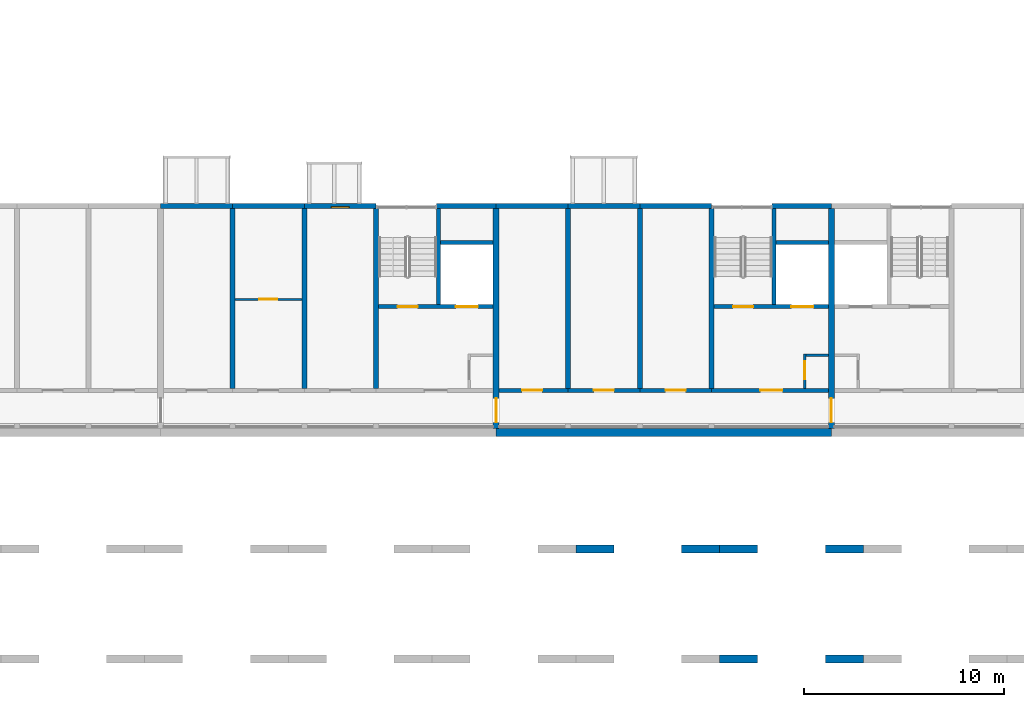
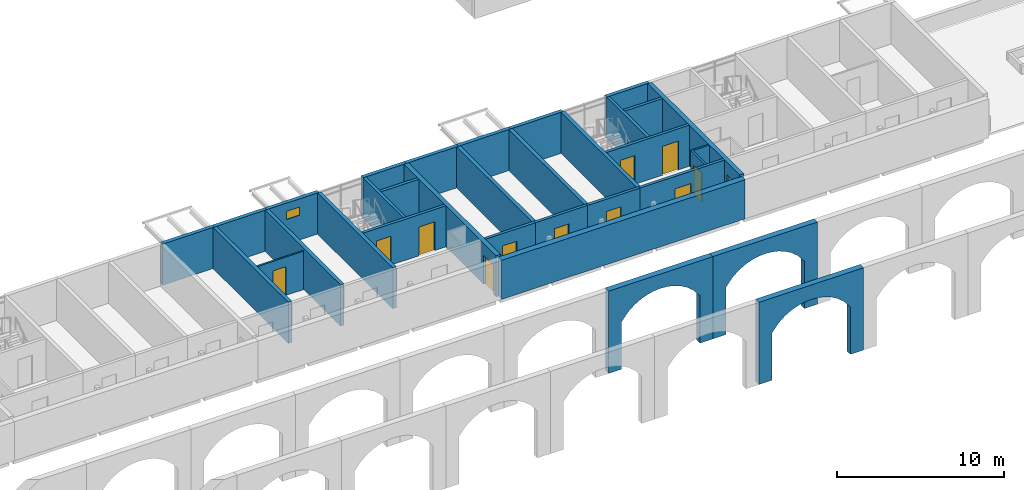
# One storey, part 56 of 122: 33 walls, 12 doors, 1 window, 13 openings.
"""IFC4 building model written with IfcOpenShell, lengths in metres."""

from ifc_helpers import new_model, si_unit, direction, frame, frame_2d, origin, place, context, subcontext, project, spatial, polyline, rectangle, outline, extrude, material, layer, layer_set, type_object, element, fill, save


model = new_model("IFC4")

# Units and contexts
model_context = context("Model", 3, precision=1e-05, world=origin(), true_north=direction((0.0, 1.0)))
body_context = subcontext(model_context, "Body", "Model", "MODEL_VIEW")
ifc_project = project(units=[si_unit("LENGTHUNIT", "METRE"), si_unit("AREAUNIT", "SQUARE_METRE"), si_unit("VOLUMEUNIT", "CUBIC_METRE"), si_unit("PLANEANGLEUNIT", "RADIAN"), si_unit("MASSUNIT", "GRAM", prefix="KILO")], contexts=[model_context])

# Site, building, storey
site_placement = place(None, origin())
site = spatial("IfcSite", under=ifc_project, at=site_placement, CompositionType="ELEMENT")
building_placement = place(site_placement, origin())
building = spatial("IfcBuilding", under=site, at=building_placement, Name="Ridgestep Commons", CompositionType="ELEMENT")
storey_placement = place(building_placement, frame((0.0, 0.0, 3.0)))
storey = spatial("IfcBuildingStorey", under=building, at=storey_placement, Name="L01", CompositionType="ELEMENT", Elevation=3.0)

# Walls
ifc_material_1 = material(Name="Precast concrete C40/50", Category="concrete")
ifc_layer_1 = layer(ifc_material_1, 0.39990234375)
ifc_layer_set_1 = layer_set([ifc_layer_1], Name="Community south arcade inner wall 400")
wall_type_1 = type_object("IfcWallType", Name="Community south arcade inner wall 400", PredefinedType="SOLIDWALL", material=ifc_layer_set_1)
wall_1_placement = place(storey_placement, frame((83.199951171875, 5.5, -3.25), z_axis=(0.0, -1.0, 0.0), x_axis=(1.0, 0.0, 0.0)))
element("IfcWall", 1, at=wall_1_placement, inside=storey, type_object=wall_type_1, Name="South arcade inner wall", PredefinedType="SOLIDWALL", context=body_context, shape_type="SweptSolid", body=[
    extrude(outline(polyline([(0.0, 0.0), (0.900146484375, 0.0), (0.900146484375, 3.449951171875), (1.35009765625, 4.01708984375), (1.800048828125, 4.3916015625), (2.25, 4.649169921875), (2.699951171875, 4.820068359375), (3.150146484375, 4.91796875), (3.60009765625, 4.949951171875), (4.050048828125, 4.91796875), (4.5, 4.820068359375), (4.949951171875, 4.649169921875), (5.400146484375, 4.3916015625), (5.85009765625, 4.01708984375), (6.300048828125, 3.449951171875), (6.300048828125, 0.0), (7.199951171875, 0.0), (7.199951171875, 6.0), (0.0, 6.0), (0.0, 0.0)])), origin(), (0.0, 0.0, -1.0), 0.39990234375),
])
wall_2_placement = place(storey_placement, frame((90.39990234375, 5.5, -3.25), z_axis=(0.0, -1.0, 0.0), x_axis=(1.0, 0.0, 0.0)))
element("IfcWall", 2, at=wall_2_placement, inside=storey, type_object=wall_type_1, Name="South arcade inner wall", PredefinedType="SOLIDWALL", context=body_context, shape_type="SweptSolid", body=[
    extrude(outline(polyline([(0.0, 0.0), (0.900146484375, 0.0), (0.900146484375, 3.449951171875), (1.35009765625, 4.01708984375), (1.800048828125, 4.3916015625), (2.25, 4.649169921875), (2.7001953125, 4.820068359375), (3.150146484375, 4.91796875), (3.60009765625, 4.949951171875), (4.050048828125, 4.91796875), (4.5, 4.820068359375), (4.9501953125, 4.649169921875), (5.400146484375, 4.3916015625), (5.85009765625, 4.01708984375), (6.300048828125, 3.449951171875), (6.300048828125, 0.0), (7.2001953125, 0.0), (7.2001953125, 6.0), (0.0, 6.0), (0.0, 0.0)])), origin(), (0.0, 0.0, -1.0), 0.39990234375),
])
ifc_material_2 = material(Name="Precast concrete C40/50", Category="concrete")
ifc_layer_2 = layer(ifc_material_2, 0.39990234375)
ifc_layer_set_2 = layer_set([ifc_layer_2], Name="Community south arcade wall 400")
wall_type_2 = type_object("IfcWallType", Name="Community south arcade wall 400", PredefinedType="SOLIDWALL", material=ifc_layer_set_2)
wall_3_placement = place(storey_placement, frame((90.39990234375, 0.001953125, -3.25), z_axis=(0.0, -1.0, 0.0), x_axis=(1.0, 0.0, 0.0)))
element("IfcWall", 3, at=wall_3_placement, inside=storey, type_object=wall_type_2, Name="South arcade wall", PredefinedType="SOLIDWALL", context=body_context, shape_type="SweptSolid", body=[
    extrude(outline(polyline([(0.0, 0.0), (0.900146484375, 0.0), (0.900146484375, 3.449951171875), (1.35009765625, 4.01708984375), (1.800048828125, 4.3916015625), (2.25, 4.649169921875), (2.7001953125, 4.820068359375), (3.150146484375, 4.91796875), (3.60009765625, 4.949951171875), (4.050048828125, 4.91796875), (4.5, 4.820068359375), (4.9501953125, 4.649169921875), (5.400146484375, 4.3916015625), (5.85009765625, 4.01708984375), (6.300048828125, 3.449951171875), (6.300048828125, 0.0), (7.2001953125, 0.0), (7.2001953125, 6.0), (0.0, 6.0), (0.0, 0.0)])), origin(), (0.0, 0.0, -1.0), 0.39990234375),
])
ifc_material_3 = material(Name="Concrete C30/37", Category="concrete")
ifc_layer_3 = layer(ifc_material_3, 0.25)
ifc_layer_set_3 = layer_set([ifc_layer_3], Name="Core cross wall 250")
wall_type_3 = type_object("IfcWallType", Name="Core cross wall 250", PredefinedType="SHEAR", material=ifc_layer_set_3)
for number, where, z_axis, x_axis, name in (
    (4, (73.199951171875, 13.75, 0.0), (0.0, 0.0, 1.0), (0.0, 1.0, 0.0), "Cross wall A-01-0732"),
    (5, (90.0, 13.75, 0.0), (0.0, 0.0, 1.0), (0.0, 1.0, 0.0), "Cross wall A-01-0900"),
):
    element("IfcWall", number, at=place(storey_placement, frame(where, z_axis=z_axis, x_axis=x_axis)), inside=storey, type_object=wall_type_3, Name=name, PredefinedType="SHEAR", context=body_context, shape_type="SweptSolid", body=[
        extrude(rectangle(XDim=9.0, YDim=0.25, at=frame_2d((4.5, 0.0))), origin(), (0.0, 0.0, 1.0), 3.0),
    ])

# Wall, opening, door
ifc_material_4 = material(Name="Concrete C30/37", Category="concrete")
ifc_layer_4 = layer(ifc_material_4, 0.199951171875)
ifc_layer_set_4 = layer_set([ifc_layer_4], Name="Core south wall 200")
wall_type_4 = type_object("IfcWallType", Name="Core south wall 200", PredefinedType="SHEAR", material=ifc_layer_set_4)
wall_4_placement = place(storey_placement, frame((90.0, 13.64990234375, 0.0), z_axis=(0.0, 0.0, 1.0), x_axis=(1.0, 0.0, 0.0)))
wall_4 = element("IfcWall", 6, at=wall_4_placement, inside=storey, type_object=wall_type_4, Name="Core south wall A5C L01", PredefinedType="SHEAR", context=body_context, shape_type="SweptSolid", body=[
    extrude(rectangle(XDim=5.85009765625, YDim=0.199951171875, at=frame_2d((2.925048828125, 0.0))), origin(), (0.0, 0.0, 1.0), 3.0),
])
opening_1_placement = place(wall_4_placement, frame((2.4375, 0.0, 0.0)))
opening_1 = element("IfcOpeningElement", 7, at=opening_1_placement, cuts=wall_4, Name="Opening A5C/01/1", PredefinedType="OPENING", context=body_context, shape_type="SweptSolid", body=[
    extrude(rectangle(XDim=1.10009765625, YDim=2.10009765625, at=frame_2d((0.550048828125, 1.050048828125))), frame((0.0, 0.10986328125, 0.0), z_axis=(0.0, -1.0, 0.0), x_axis=(1.0, 0.0, 0.0)), (0.0, 0.0, 1.0), 0.219970703125),
])
ifc_material_5 = material(Name="Steel fire door", Category="steel")
door_type_1 = type_object("IfcDoorType", Name="Lobby door 1100 x 2100 FD60", OperationType="NOTDEFINED", PredefinedType="DOOR", material=ifc_material_5)
door_1_placement = place(opening_1_placement, origin())
door_1 = element("IfcDoor", 8, at=door_1_placement, inside=storey, type_object=door_type_1, Name="Lobby door A5C/01/1", OperationType="SINGLE_SWING_LEFT", OverallHeight=2.10009765625, OverallWidth=1.10009765625, PredefinedType="DOOR", context=body_context, shape_type="SweptSolid", body=[
    extrude(rectangle(XDim=1.10009765625, YDim=2.10009765625, at=frame_2d((0.550048828125, 1.050048828125))), frame((0.0, 0.02490234375, 0.0), z_axis=(0.0, -1.0, 0.0), x_axis=(1.0, 0.0, 0.0)), (0.0, 0.0, 1.0), 0.050048828125),
])
fill(opening_1, door_1)

ifc_material_6 = material(Name="Concrete C30/37", Category="concrete")
ifc_layer_5 = layer(ifc_material_6, 0.1201171875)
ifc_layer_set_5 = layer_set([ifc_layer_5], Name="Core wall 120")
wall_type_5 = type_object("IfcWallType", Name="Core wall 120", PredefinedType="SHEAR", material=ifc_layer_set_5)
wall_5_placement = place(storey_placement, frame((94.659912109375, 13.75, 0.0), z_axis=(0.0, 0.0, 1.0), x_axis=(0.0, 1.0, 0.0)))
wall_5 = element("IfcWall", 9, at=wall_5_placement, inside=storey, type_object=wall_type_5, Name="Core riser w wall A5C L01", PredefinedType="SHEAR", context=body_context, shape_type="SweptSolid", body=[
    extrude(rectangle(XDim=1.719970703125, YDim=0.1201171875, at=frame_2d((0.85986328125, 0.0))), origin(), (0.0, 0.0, 1.0), 3.0),
])
opening_2_placement = place(wall_5_placement, frame((0.449951171875, 0.0, 0.0)))
opening_2 = element("IfcOpeningElement", 10, at=opening_2_placement, cuts=wall_5, Name="Opening A5C/01/4", PredefinedType="OPENING", context=body_context, shape_type="SweptSolid", body=[
    extrude(rectangle(XDim=0.89990234375, YDim=2.10009765625, at=frame_2d((0.449951171875, 1.050048828125))), frame((0.0, 0.070068359375, 0.0), z_axis=(0.0, -1.0, 0.0), x_axis=(1.0, 0.0, 0.0)), (0.0, 0.0, 1.0), 0.14013671875),
])
ifc_material_7 = material(Name="Steel fire door", Category="steel")
door_type_2 = type_object("IfcDoorType", Name="Riser door 900 x 2100 FD60", OperationType="NOTDEFINED", PredefinedType="DOOR", material=ifc_material_7)
door_2_placement = place(opening_2_placement, origin())
door_2 = element("IfcDoor", 11, at=door_2_placement, inside=storey, type_object=door_type_2, Name="Riser door A5C/01/4", OperationType="SINGLE_SWING_LEFT", OverallHeight=2.10009765625, OverallWidth=0.89990234375, PredefinedType="DOOR", context=body_context, shape_type="SweptSolid", body=[
    extrude(rectangle(XDim=0.89990234375, YDim=2.10009765625, at=frame_2d((0.449951171875, 1.050048828125))), frame((0.0, 0.02490234375, 0.0), z_axis=(0.0, -1.0, 0.0), x_axis=(1.0, 0.0, 0.0)), (0.0, 0.0, 1.0), 0.050048828125),
])
fill(opening_2, door_2)

# Wall
wall_6_placement = place(storey_placement, frame((94.719970703125, 15.409912109375, 0.0), z_axis=(0.0, 0.0, 1.0), x_axis=(1.0, 0.0, 0.0)))
element("IfcWall", 12, at=wall_6_placement, inside=storey, type_object=wall_type_5, Name="Core riser n wall A5C L01", PredefinedType="SHEAR", context=body_context, shape_type="SweptSolid", body=[
    extrude(rectangle(XDim=1.130126953125, YDim=0.1201171875, at=frame_2d((0.56494140625, 0.0))), origin(), (0.0, 0.0, 1.0), 3.0),
])

# Wall, openings, doors
ifc_material_8 = material(Name="Concrete C30/37", Category="concrete")
ifc_layer_6 = layer(ifc_material_8, 0.199951171875)
ifc_layer_set_6 = layer_set([ifc_layer_6], Name="Core wall 200")
wall_type_6 = type_object("IfcWallType", Name="Core wall 200", PredefinedType="SHEAR", material=ifc_layer_set_6)
wall_7_placement = place(storey_placement, frame((73.324951171875, 17.85009765625, 0.0), z_axis=(0.0, 0.0, 1.0), x_axis=(1.0, 0.0, 0.0)))
wall_7 = element("IfcWall", 13, at=wall_7_placement, inside=storey, type_object=wall_type_6, Name="Core lobby wall A4C L01", PredefinedType="SHEAR", context=body_context, shape_type="SweptSolid", body=[
    extrude(rectangle(XDim=5.72509765625, YDim=0.199951171875, at=frame_2d((2.862548828125, 0.0))), origin(), (0.0, 0.0, 1.0), 3.0),
])
opening_3_placement = place(wall_7_placement, frame((0.949951171875, 0.0, 0.0)))
opening_3 = element("IfcOpeningElement", 14, at=opening_3_placement, cuts=wall_7, Name="Opening A4C/01/2", PredefinedType="OPENING", context=body_context, shape_type="SweptSolid", body=[
    extrude(rectangle(XDim=1.0, YDim=2.10009765625, at=frame_2d((0.5, 1.050048828125))), frame((0.0, 0.10986328125, 0.0), z_axis=(0.0, -1.0, 0.0), x_axis=(1.0, 0.0, 0.0)), (0.0, 0.0, 1.0), 0.219970703125),
])
opening_4_placement = place(wall_7_placement, frame((3.862548828125, 0.0, 0.0)))
opening_4 = element("IfcOpeningElement", 15, at=opening_4_placement, cuts=wall_7, Name="Opening A4C/01/3", PredefinedType="OPENING", context=body_context, shape_type="SweptSolid", body=[
    extrude(rectangle(XDim=1.10009765625, YDim=2.10009765625, at=frame_2d((0.550048828125, 1.050048828125))), frame((0.0, 0.10986328125, 0.0), z_axis=(0.0, -1.0, 0.0), x_axis=(1.0, 0.0, 0.0)), (0.0, 0.0, 1.0), 0.219970703125),
])
ifc_material_9 = material(Name="Stainless steel", Category="steel")
door_type_3 = type_object("IfcDoorType", Name="Lift landing door 1100 x 2100 FD60", OperationType="DOUBLE_DOOR_SLIDING", PredefinedType="DOOR", material=ifc_material_9)
door_3_placement = place(opening_4_placement, origin())
door_3 = element("IfcDoor", 16, at=door_3_placement, inside=storey, type_object=door_type_3, Name="Landing door LD A4C L01", OperationType="DOUBLE_DOOR_SLIDING", OverallHeight=2.10009765625, OverallWidth=1.10009765625, PredefinedType="DOOR", context=body_context, shape_type="SweptSolid", body=[
    extrude(rectangle(XDim=1.10009765625, YDim=2.10009765625, at=frame_2d((0.550048828125, 1.050048828125))), frame((0.0, 0.02490234375, 0.0), z_axis=(0.0, -1.0, 0.0), x_axis=(1.0, 0.0, 0.0)), (0.0, 0.0, 1.0), 0.050048828125),
])
fill(opening_4, door_3)
ifc_material_10 = material(Name="Steel fire door", Category="steel")
door_type_4 = type_object("IfcDoorType", Name="Stair door 1000 x 2100 FD60", OperationType="NOTDEFINED", PredefinedType="DOOR", material=ifc_material_10)
door_4_placement = place(opening_3_placement, origin())
door_4 = element("IfcDoor", 17, at=door_4_placement, inside=storey, type_object=door_type_4, Name="Stair door A4C/01/2", OperationType="SINGLE_SWING_RIGHT", OverallHeight=2.10009765625, OverallWidth=1.0, PredefinedType="DOOR", context=body_context, shape_type="SweptSolid", body=[
    extrude(rectangle(XDim=1.0, YDim=2.10009765625, at=frame_2d((0.5, 1.050048828125))), frame((0.0, 0.02490234375, 0.0), z_axis=(0.0, -1.0, 0.0), x_axis=(1.0, 0.0, 0.0)), (0.0, 0.0, 1.0), 0.050048828125),
])
fill(opening_3, door_4)

# Walls
wall_8_placement = place(storey_placement, frame((76.324951171875, 17.949951171875, 0.0), z_axis=(0.0, 0.0, 1.0), x_axis=(0.0, 1.0, 0.0)))
element("IfcWall", 18, at=wall_8_placement, inside=storey, type_object=wall_type_6, Name="Core stair wall A4C L01", PredefinedType="SHEAR", context=body_context, shape_type="SweptSolid", body=[
    extrude(rectangle(XDim=4.800048828125, YDim=0.199951171875, at=frame_2d((2.39990234375, 0.0))), origin(), (0.0, 0.0, 1.0), 3.0),
])
wall_9_placement = place(storey_placement, frame((76.425048828125, 21.050048828125, 0.0), z_axis=(0.0, 0.0, 1.0), x_axis=(1.0, 0.0, 0.0)))
element("IfcWall", 19, at=wall_9_placement, inside=storey, type_object=wall_type_6, Name="Core duct wall A4C L01", PredefinedType="SHEAR", context=body_context, shape_type="SweptSolid", body=[
    extrude(rectangle(XDim=2.625, YDim=0.199951171875, at=frame_2d((1.3125, 0.0))), origin(), (0.0, 0.0, 1.0), 3.0),
])

# Wall, openings, doors
wall_10_placement = place(storey_placement, frame((90.125, 17.85009765625, 0.0), z_axis=(0.0, 0.0, 1.0), x_axis=(1.0, 0.0, 0.0)))
wall_10 = element("IfcWall", 20, at=wall_10_placement, inside=storey, type_object=wall_type_6, Name="Core lobby wall A5C L01", PredefinedType="SHEAR", context=body_context, shape_type="SweptSolid", body=[
    extrude(rectangle(XDim=5.72509765625, YDim=0.199951171875, at=frame_2d((2.862548828125, 0.0))), origin(), (0.0, 0.0, 1.0), 3.0),
])
opening_5_placement = place(wall_10_placement, frame((0.949951171875, 0.0, 0.0)))
opening_5 = element("IfcOpeningElement", 21, at=opening_5_placement, cuts=wall_10, Name="Opening A5C/01/2", PredefinedType="OPENING", context=body_context, shape_type="SweptSolid", body=[
    extrude(rectangle(XDim=1.0, YDim=2.10009765625, at=frame_2d((0.5, 1.050048828125))), frame((0.0, 0.10986328125, 0.0), z_axis=(0.0, -1.0, 0.0), x_axis=(1.0, 0.0, 0.0)), (0.0, 0.0, 1.0), 0.219970703125),
])
opening_6_placement = place(wall_10_placement, frame((3.862548828125, 0.0, 0.0)))
opening_6 = element("IfcOpeningElement", 22, at=opening_6_placement, cuts=wall_10, Name="Opening A5C/01/3", PredefinedType="OPENING", context=body_context, shape_type="SweptSolid", body=[
    extrude(rectangle(XDim=1.10009765625, YDim=2.10009765625, at=frame_2d((0.550048828125, 1.050048828125))), frame((0.0, 0.10986328125, 0.0), z_axis=(0.0, -1.0, 0.0), x_axis=(1.0, 0.0, 0.0)), (0.0, 0.0, 1.0), 0.219970703125),
])
door_5_placement = place(opening_6_placement, origin())
door_5 = element("IfcDoor", 23, at=door_5_placement, inside=storey, type_object=door_type_3, Name="Landing door LD A5C L01", OperationType="DOUBLE_DOOR_SLIDING", OverallHeight=2.10009765625, OverallWidth=1.10009765625, PredefinedType="DOOR", context=body_context, shape_type="SweptSolid", body=[
    extrude(rectangle(XDim=1.10009765625, YDim=2.10009765625, at=frame_2d((0.550048828125, 1.050048828125))), frame((0.0, 0.02490234375, 0.0), z_axis=(0.0, -1.0, 0.0), x_axis=(1.0, 0.0, 0.0)), (0.0, 0.0, 1.0), 0.050048828125),
])
fill(opening_6, door_5)
door_6_placement = place(opening_5_placement, origin())
door_6 = element("IfcDoor", 24, at=door_6_placement, inside=storey, type_object=door_type_4, Name="Stair door A5C/01/2", OperationType="SINGLE_SWING_RIGHT", OverallHeight=2.10009765625, OverallWidth=1.0, PredefinedType="DOOR", context=body_context, shape_type="SweptSolid", body=[
    extrude(rectangle(XDim=1.0, YDim=2.10009765625, at=frame_2d((0.5, 1.050048828125))), frame((0.0, 0.02490234375, 0.0), z_axis=(0.0, -1.0, 0.0), x_axis=(1.0, 0.0, 0.0)), (0.0, 0.0, 1.0), 0.050048828125),
])
fill(opening_5, door_6)

# Walls
wall_11_placement = place(storey_placement, frame((93.125, 17.949951171875, 0.0), z_axis=(0.0, 0.0, 1.0), x_axis=(0.0, 1.0, 0.0)))
element("IfcWall", 25, at=wall_11_placement, inside=storey, type_object=wall_type_6, Name="Core stair wall A5C L01", PredefinedType="SHEAR", context=body_context, shape_type="SweptSolid", body=[
    extrude(rectangle(XDim=4.800048828125, YDim=0.199951171875, at=frame_2d((2.39990234375, 0.0))), origin(), (0.0, 0.0, 1.0), 3.0),
])
wall_12_placement = place(storey_placement, frame((93.22509765625, 21.050048828125, 0.0), z_axis=(0.0, 0.0, 1.0), x_axis=(1.0, 0.0, 0.0)))
element("IfcWall", 26, at=wall_12_placement, inside=storey, type_object=wall_type_6, Name="Core duct wall A5C L01", PredefinedType="SHEAR", context=body_context, shape_type="SweptSolid", body=[
    extrude(rectangle(XDim=2.625, YDim=0.199951171875, at=frame_2d((1.3125, 0.0))), origin(), (0.0, 0.0, 1.0), 3.0),
])
ifc_material_11 = material(Name="Precast concrete C40/50", Category="concrete")
ifc_layer_7 = layer(ifc_material_11, 0.25)
ifc_layer_set_7 = layer_set([ifc_layer_7], Name="Cross wall 250")
wall_type_7 = type_object("IfcWallType", Name="Cross wall 250", PredefinedType="SHEAR", material=ifc_layer_set_7)
for number, where, z_axis, x_axis, name in (
    (27, (66.0, 13.75, 0.0), (0.0, 0.0, 1.0), (0.0, 1.0, 0.0), "Cross wall A-01-0660"),
    (28, (69.60009765625, 13.75, 0.0), (0.0, 0.0, 1.0), (0.0, 1.0, 0.0), "Cross wall A-01-0696"),
    (29, (82.800048828125, 13.75, 0.0), (0.0, 0.0, 1.0), (0.0, 1.0, 0.0), "Cross wall A-01-0828"),
    (30, (86.39990234375, 13.75, 0.0), (0.0, 0.0, 1.0), (0.0, 1.0, 0.0), "Cross wall A-01-0864"),
):
    element("IfcWall", number, at=place(storey_placement, frame(where, z_axis=z_axis, x_axis=x_axis)), inside=storey, type_object=wall_type_7, Name=name, PredefinedType="SHEAR", context=body_context, shape_type="SweptSolid", body=[
        extrude(rectangle(XDim=9.0, YDim=0.25, at=frame_2d((4.5, 0.0))), origin(), (0.0, 0.0, 1.0), 3.0),
    ])

# Wall, opening, door
ifc_material_12 = material(Name="Precast concrete C40/50", Category="concrete")
ifc_layer_8 = layer(ifc_material_12, 0.300048828125)
ifc_layer_set_8 = layer_set([ifc_layer_8], Name="Division wall 300")
wall_type_8 = type_object("IfcWallType", Name="Division wall 300", PredefinedType="SHEAR", material=ifc_layer_set_8)
wall_13_placement = place(storey_placement, frame((79.199951171875, 11.75, 0.0), z_axis=(0.0, 0.0, 1.0), x_axis=(0.0, 1.0, 0.0)))
wall_13 = element("IfcWall", 31, at=wall_13_placement, inside=storey, type_object=wall_type_8, Name="Cross wall A-01-0792", PredefinedType="SHEAR", context=body_context, shape_type="SweptSolid", body=[
    extrude(rectangle(XDim=11.0, YDim=0.300048828125, at=frame_2d((5.5, 0.0))), origin(), (0.0, 0.0, 1.0), 3.0),
])
opening_7_placement = place(wall_13_placement, frame((0.300048828125, 0.0, 0.0)))
opening_7 = element("IfcOpeningElement", 32, at=opening_7_placement, cuts=wall_13, Name="Opening A/01/G0792", PredefinedType="OPENING", context=body_context, shape_type="SweptSolid", body=[
    extrude(rectangle(XDim=1.199951171875, YDim=2.10009765625, at=frame_2d((0.60009765625, 1.050048828125))), frame((0.0, 0.159912109375, 0.0), z_axis=(0.0, -1.0, 0.0), x_axis=(1.0, 0.0, 0.0)), (0.0, 0.0, 1.0), 0.320068359375),
])
ifc_material_13 = material(Name="Steel fire door", Category="steel")
door_type_5 = type_object("IfcDoorType", Name="Division fire door 1200 x 2100 EI 240", OperationType="DOUBLE_DOOR_SINGLE_SWING", PredefinedType="DOOR", material=ifc_material_13)
door_7_placement = place(opening_7_placement, origin())
door_7 = element("IfcDoor", 33, at=door_7_placement, inside=storey, type_object=door_type_5, Name="Division fire door A/01/G0792", OperationType="DOUBLE_DOOR_SINGLE_SWING", OverallHeight=2.10009765625, OverallWidth=1.199951171875, PredefinedType="DOOR", context=body_context, shape_type="SweptSolid", body=[
    extrude(rectangle(XDim=1.199951171875, YDim=2.10009765625, at=frame_2d((0.60009765625, 1.050048828125))), frame((0.0, 0.02490234375, 0.0), z_axis=(0.0, -1.0, 0.0), x_axis=(1.0, 0.0, 0.0)), (0.0, 0.0, 1.0), 0.050048828125),
])
fill(opening_7, door_7)

wall_14_placement = place(storey_placement, frame((96.0, 11.75, 0.0), z_axis=(0.0, 0.0, 1.0), x_axis=(0.0, 1.0, 0.0)))
wall_14 = element("IfcWall", 34, at=wall_14_placement, inside=storey, type_object=wall_type_8, Name="Cross wall A-01-0960", PredefinedType="SHEAR", context=body_context, shape_type="SweptSolid", body=[
    extrude(rectangle(XDim=11.0, YDim=0.300048828125, at=frame_2d((5.5, 0.0))), origin(), (0.0, 0.0, 1.0), 3.0),
])
opening_8_placement = place(wall_14_placement, frame((0.300048828125, 0.0, 0.0)))
opening_8 = element("IfcOpeningElement", 35, at=opening_8_placement, cuts=wall_14, Name="Opening A/01/G0960", PredefinedType="OPENING", context=body_context, shape_type="SweptSolid", body=[
    extrude(rectangle(XDim=1.199951171875, YDim=2.10009765625, at=frame_2d((0.60009765625, 1.050048828125))), frame((0.0, 0.159912109375, 0.0), z_axis=(0.0, -1.0, 0.0), x_axis=(1.0, 0.0, 0.0)), (0.0, 0.0, 1.0), 0.320068359375),
])
door_8_placement = place(opening_8_placement, origin())
door_8 = element("IfcDoor", 36, at=door_8_placement, inside=storey, type_object=door_type_5, Name="Division fire door A/01/G0960", OperationType="DOUBLE_DOOR_SINGLE_SWING", OverallHeight=2.10009765625, OverallWidth=1.199951171875, PredefinedType="DOOR", context=body_context, shape_type="SweptSolid", body=[
    extrude(rectangle(XDim=1.199951171875, YDim=2.10009765625, at=frame_2d((0.60009765625, 1.050048828125))), frame((0.0, 0.02490234375, 0.0), z_axis=(0.0, -1.0, 0.0), x_axis=(1.0, 0.0, 0.0)), (0.0, 0.0, 1.0), 0.050048828125),
])
fill(opening_8, door_8)

# Walls
ifc_material_14 = material(Name="Precast concrete C40/50", Category="concrete")
ifc_layer_9 = layer(ifc_material_14, 0.25)
ifc_layer_set_9 = layer_set([ifc_layer_9], Name="North facade panel 250")
wall_type_9 = type_object("IfcWallType", Name="North facade panel 250", PredefinedType="SOLIDWALL", material=ifc_layer_set_9)
for number, where, z_axis, x_axis, name in (
    (37, (62.39990234375, 22.875, 0.0), (0.0, 0.0, 1.0), (1.0, 0.0, 0.0), "North panel A4T1 L01"),
    (38, (66.0, 22.875, 0.0), (0.0, 0.0, 1.0), (1.0, 0.0, 0.0), "North panel A4T2 L01"),
):
    element("IfcWall", number, at=place(storey_placement, frame(where, z_axis=z_axis, x_axis=x_axis)), inside=storey, type_object=wall_type_9, Name=name, PredefinedType="SOLIDWALL", context=body_context, shape_type="SweptSolid", body=[
        extrude(rectangle(XDim=3.60009765625, YDim=0.25, at=frame_2d((1.800048828125, 0.0))), origin(), (0.0, 0.0, 1.0), 3.0),
    ])

# Wall, opening, window
wall_15_placement = place(storey_placement, frame((69.60009765625, 22.875, 0.0), z_axis=(0.0, 0.0, 1.0), x_axis=(1.0, 0.0, 0.0)))
wall_15 = element("IfcWall", 39, at=wall_15_placement, inside=storey, type_object=wall_type_9, Name="North panel A4T3 L01", PredefinedType="SOLIDWALL", context=body_context, shape_type="SweptSolid", body=[
    extrude(rectangle(XDim=3.599853515625, YDim=0.25, at=frame_2d((1.7998046875, 0.0))), origin(), (0.0, 0.0, 1.0), 3.0),
])
opening_9_placement = place(wall_15_placement, frame((1.35009765625, 0.0, 1.800048828125)))
opening_9 = element("IfcOpeningElement", 40, at=opening_9_placement, cuts=wall_15, Name="Opening W02", PredefinedType="OPENING", context=body_context, shape_type="SweptSolid", body=[
    extrude(rectangle(XDim=0.89990234375, YDim=0.60009765625, at=frame_2d((0.449951171875, 0.300048828125))), frame((0.0, 0.135009765625, 0.0), z_axis=(0.0, -1.0, 0.0), x_axis=(1.0, 0.0, 0.0)), (0.0, 0.0, 1.0), 0.27001953125),
])
ifc_material_15 = material(Name="Aluminium 6063-T6 and glass", Category="aluminium")
window_type = type_object("IfcWindowType", Name="Flat window 900 x 600", PartitioningType="SINGLE_PANEL", PredefinedType="WINDOW", material=ifc_material_15)
window_placement = place(opening_9_placement, origin())
window = element("IfcWindow", 41, at=window_placement, inside=storey, type_object=window_type, Name="Window A4-01p 2", OverallHeight=0.60009765625, OverallWidth=0.89990234375, PartitioningType="SINGLE_PANEL", PredefinedType="WINDOW", context=body_context, shape_type="SweptSolid", body=[
    extrude(rectangle(XDim=0.89990234375, YDim=0.60009765625, at=frame_2d((0.449951171875, 0.300048828125))), frame((0.0, -0.02490234375, 0.0), z_axis=(0.0, -1.0, 0.0), x_axis=(1.0, 0.0, 0.0)), (0.0, 0.0, 1.0), 0.06005859375),
])
fill(opening_9, window)

# Walls
wall_16_placement = place(storey_placement, frame((76.22509765625, 22.875, 0.0), z_axis=(0.0, 0.0, 1.0), x_axis=(1.0, 0.0, 0.0)))
element("IfcWall", 42, at=wall_16_placement, inside=storey, type_object=wall_type_9, Name="North panel A4C L01", PredefinedType="SOLIDWALL", context=body_context, shape_type="SweptSolid", body=[
    extrude(rectangle(XDim=2.974853515625, YDim=0.25, at=frame_2d((1.4873046875, 0.0))), origin(), (0.0, 0.0, 1.0), 3.0),
])
wall_17_placement = place(storey_placement, frame((79.199951171875, 22.875, 0.0), z_axis=(0.0, 0.0, 1.0), x_axis=(1.0, 0.0, 0.0)))
element("IfcWall", 43, at=wall_17_placement, inside=storey, type_object=wall_type_9, Name="North panel A5T1 L01", PredefinedType="SOLIDWALL", context=body_context, shape_type="SweptSolid", body=[
    extrude(rectangle(XDim=3.60009765625, YDim=0.25, at=frame_2d((1.800048828125, 0.0))), origin(), (0.0, 0.0, 1.0), 3.0),
])
wall_18_placement = place(storey_placement, frame((82.800048828125, 22.875, 0.0), z_axis=(0.0, 0.0, 1.0), x_axis=(1.0, 0.0, 0.0)))
element("IfcWall", 44, at=wall_18_placement, inside=storey, type_object=wall_type_9, Name="North panel A5T2 L01", PredefinedType="SOLIDWALL", context=body_context, shape_type="SweptSolid", body=[
    extrude(rectangle(XDim=3.599853515625, YDim=0.25, at=frame_2d((1.7998046875, 0.0))), origin(), (0.0, 0.0, 1.0), 3.0),
])
wall_19_placement = place(storey_placement, frame((86.39990234375, 22.875, 0.0), z_axis=(0.0, 0.0, 1.0), x_axis=(1.0, 0.0, 0.0)))
element("IfcWall", 45, at=wall_19_placement, inside=storey, type_object=wall_type_9, Name="North panel A5T3 L01", PredefinedType="SOLIDWALL", context=body_context, shape_type="SweptSolid", body=[
    extrude(rectangle(XDim=3.60009765625, YDim=0.25, at=frame_2d((1.800048828125, 0.0))), origin(), (0.0, 0.0, 1.0), 3.0),
])
wall_20_placement = place(storey_placement, frame((93.02490234375, 22.875, 0.0), z_axis=(0.0, 0.0, 1.0), x_axis=(1.0, 0.0, 0.0)))
element("IfcWall", 46, at=wall_20_placement, inside=storey, type_object=wall_type_9, Name="North panel A5C L01", PredefinedType="SOLIDWALL", context=body_context, shape_type="SweptSolid", body=[
    extrude(rectangle(XDim=2.97509765625, YDim=0.25, at=frame_2d((1.487548828125, 0.0))), origin(), (0.0, 0.0, 1.0), 3.0),
])

# Wall, opening, door
ifc_material_16 = material(Name="Common brick 110 mm", Category="masonry")
ifc_layer_10 = layer(ifc_material_16, 0.110107421875)
ifc_layer_set_10 = layer_set([ifc_layer_10], Name="Partition 110")
wall_type_10 = type_object("IfcWallType", Name="Partition 110", PredefinedType="PARTITIONING", material=ifc_layer_set_10)
wall_21_placement = place(storey_placement, frame((66.125, 18.205078125, 0.0), z_axis=(0.0, 0.0, 1.0), x_axis=(1.0, 0.0, 0.0)))
wall_21 = element("IfcWall", 47, at=wall_21_placement, inside=storey, type_object=wall_type_10, Name="Partition A4-01p", PredefinedType="PARTITIONING", context=body_context, shape_type="SweptSolid", body=[
    extrude(rectangle(XDim=3.35009765625, YDim=0.110107421875, at=frame_2d((1.675048828125, 0.0))), origin(), (0.0, 0.0, 1.0), 2.800048828125),
])
opening_10_placement = place(wall_21_placement, frame((1.22509765625, 0.0, 0.0)))
opening_10 = element("IfcOpeningElement", 48, at=opening_10_placement, cuts=wall_21, Name="Opening A4-01p/3", PredefinedType="OPENING", context=body_context, shape_type="SweptSolid", body=[
    extrude(rectangle(XDim=0.89990234375, YDim=2.10009765625, at=frame_2d((0.449951171875, 1.050048828125))), frame((0.0, 0.06494140625, 0.0), z_axis=(0.0, -1.0, 0.0), x_axis=(1.0, 0.0, 0.0)), (0.0, 0.0, 1.0), 0.130126953125),
])
ifc_material_17 = material(Name="Timber door leaf", Category="wood")
door_type_6 = type_object("IfcDoorType", Name="Internal door 900 x 2100", OperationType="NOTDEFINED", PredefinedType="DOOR", material=ifc_material_17)
door_9_placement = place(opening_10_placement, origin())
door_9 = element("IfcDoor", 49, at=door_9_placement, inside=storey, type_object=door_type_6, Name="Internal door A4-01p/3", OperationType="SINGLE_SWING_RIGHT", OverallHeight=2.10009765625, OverallWidth=0.89990234375, PredefinedType="DOOR", context=body_context, shape_type="SweptSolid", body=[
    extrude(rectangle(XDim=0.89990234375, YDim=2.10009765625, at=frame_2d((0.449951171875, 1.050048828125))), frame((0.0, 0.02490234375, 0.0), z_axis=(0.0, -1.0, 0.0), x_axis=(1.0, 0.0, 0.0)), (0.0, 0.0, 1.0), 0.050048828125),
])
fill(opening_10, door_9)

# Wall
ifc_material_18 = material(Name="Concrete C30/37", Category="concrete")
ifc_layer_11 = layer(ifc_material_18, 0.39990234375)
ifc_layer_set_11 = layer_set([ifc_layer_11], Name="Plinth retaining wall 400")
wall_type_11 = type_object("IfcWallType", Name="Plinth retaining wall 400", PredefinedType="SOLIDWALL", material=ifc_layer_set_11)
wall_22_placement = place(storey_placement, frame((79.199951171875, 11.550048828125, 0.0), z_axis=(0.0, 0.0, 1.0), x_axis=(1.0, 0.0, 0.0)))
element("IfcWall", 50, at=wall_22_placement, inside=storey, type_object=wall_type_11, Name="Plinth retaining wall A5 L01", PredefinedType="SOLIDWALL", context=body_context, shape_type="SweptSolid", body=[
    extrude(rectangle(XDim=16.800048828125, YDim=0.39990234375, at=frame_2d((8.39990234375, 0.0))), origin(), (0.0, 0.0, 1.0), 2.85009765625),
])

# Wall, opening, door
ifc_material_19 = material(Name="Precast concrete C40/50", Category="concrete")
ifc_layer_12 = layer(ifc_material_19, 0.199951171875)
ifc_layer_set_12 = layer_set([ifc_layer_12], Name="South facade panel 200")
wall_type_12 = type_object("IfcWallType", Name="South facade panel 200", PredefinedType="SOLIDWALL", material=ifc_layer_set_12)
wall_23_placement = place(storey_placement, frame((79.35009765625, 13.64990234375, 0.0), z_axis=(0.0, 0.0, 1.0), x_axis=(1.0, 0.0, 0.0)))
wall_23 = element("IfcWall", 51, at=wall_23_placement, inside=storey, type_object=wall_type_12, Name="South panel A5T1 L01", PredefinedType="SOLIDWALL", context=body_context, shape_type="SweptSolid", body=[
    extrude(rectangle(XDim=3.449951171875, YDim=0.199951171875, at=frame_2d((1.72509765625, 0.0))), origin(), (0.0, 0.0, 1.0), 3.0),
])
opening_11_placement = place(wall_23_placement, frame((1.16259765625, 0.0, 0.0)))
opening_11 = element("IfcOpeningElement", 52, at=opening_11_placement, cuts=wall_23, Name="Opening A5-01p/1", PredefinedType="OPENING", context=body_context, shape_type="SweptSolid", body=[
    extrude(rectangle(XDim=1.0, YDim=2.10009765625, at=frame_2d((0.5, 1.050048828125))), frame((0.0, 0.10986328125, 0.0), z_axis=(0.0, -1.0, 0.0), x_axis=(1.0, 0.0, 0.0)), (0.0, 0.0, 1.0), 0.219970703125),
])
ifc_material_20 = material(Name="Steel door leaf", Category="steel")
door_type_7 = type_object("IfcDoorType", Name="Store door 1000 x 2100", OperationType="NOTDEFINED", PredefinedType="DOOR", material=ifc_material_20)
door_10_placement = place(opening_11_placement, origin())
door_10 = element("IfcDoor", 53, at=door_10_placement, inside=storey, type_object=door_type_7, Name="Store door A5-01p/1", OperationType="SINGLE_SWING_RIGHT", OverallHeight=2.10009765625, OverallWidth=1.0, PredefinedType="DOOR", context=body_context, shape_type="SweptSolid", body=[
    extrude(rectangle(XDim=1.0, YDim=2.10009765625, at=frame_2d((0.5, 1.050048828125))), frame((0.0, 0.02490234375, 0.0), z_axis=(0.0, -1.0, 0.0), x_axis=(1.0, 0.0, 0.0)), (0.0, 0.0, 1.0), 0.050048828125),
])
fill(opening_11, door_10)

wall_24_placement = place(storey_placement, frame((82.800048828125, 13.64990234375, 0.0), z_axis=(0.0, 0.0, 1.0), x_axis=(1.0, 0.0, 0.0)))
wall_24 = element("IfcWall", 54, at=wall_24_placement, inside=storey, type_object=wall_type_12, Name="South panel A5T2 L01", PredefinedType="SOLIDWALL", context=body_context, shape_type="SweptSolid", body=[
    extrude(rectangle(XDim=3.599853515625, YDim=0.199951171875, at=frame_2d((1.7998046875, 0.0))), origin(), (0.0, 0.0, 1.0), 3.0),
])
opening_12_placement = place(wall_24_placement, frame((1.300048828125, 0.0, 0.0)))
opening_12 = element("IfcOpeningElement", 55, at=opening_12_placement, cuts=wall_24, Name="Opening A5-01p/2", PredefinedType="OPENING", context=body_context, shape_type="SweptSolid", body=[
    extrude(rectangle(XDim=1.0, YDim=2.10009765625, at=frame_2d((0.5, 1.050048828125))), frame((0.0, 0.10986328125, 0.0), z_axis=(0.0, -1.0, 0.0), x_axis=(1.0, 0.0, 0.0)), (0.0, 0.0, 1.0), 0.219970703125),
])
door_11_placement = place(opening_12_placement, origin())
door_11 = element("IfcDoor", 56, at=door_11_placement, inside=storey, type_object=door_type_7, Name="Store door A5-01p/2", OperationType="SINGLE_SWING_RIGHT", OverallHeight=2.10009765625, OverallWidth=1.0, PredefinedType="DOOR", context=body_context, shape_type="SweptSolid", body=[
    extrude(rectangle(XDim=1.0, YDim=2.10009765625, at=frame_2d((0.5, 1.050048828125))), frame((0.0, 0.02490234375, 0.0), z_axis=(0.0, -1.0, 0.0), x_axis=(1.0, 0.0, 0.0)), (0.0, 0.0, 1.0), 0.050048828125),
])
fill(opening_12, door_11)

wall_25_placement = place(storey_placement, frame((86.39990234375, 13.64990234375, 0.0), z_axis=(0.0, 0.0, 1.0), x_axis=(1.0, 0.0, 0.0)))
wall_25 = element("IfcWall", 57, at=wall_25_placement, inside=storey, type_object=wall_type_12, Name="South panel A5T3 L01", PredefinedType="SOLIDWALL", context=body_context, shape_type="SweptSolid", body=[
    extrude(rectangle(XDim=3.60009765625, YDim=0.199951171875, at=frame_2d((1.800048828125, 0.0))), origin(), (0.0, 0.0, 1.0), 3.0),
])
opening_13_placement = place(wall_25_placement, frame((1.300048828125, 0.0, 0.0)))
opening_13 = element("IfcOpeningElement", 58, at=opening_13_placement, cuts=wall_25, Name="Opening A5-01p/3", PredefinedType="OPENING", context=body_context, shape_type="SweptSolid", body=[
    extrude(rectangle(XDim=1.0, YDim=2.10009765625, at=frame_2d((0.5, 1.050048828125))), frame((0.0, 0.10986328125, 0.0), z_axis=(0.0, -1.0, 0.0), x_axis=(1.0, 0.0, 0.0)), (0.0, 0.0, 1.0), 0.219970703125),
])
door_12_placement = place(opening_13_placement, origin())
door_12 = element("IfcDoor", 59, at=door_12_placement, inside=storey, type_object=door_type_7, Name="Store door A5-01p/3", OperationType="SINGLE_SWING_RIGHT", OverallHeight=2.10009765625, OverallWidth=1.0, PredefinedType="DOOR", context=body_context, shape_type="SweptSolid", body=[
    extrude(rectangle(XDim=1.0, YDim=2.10009765625, at=frame_2d((0.5, 1.050048828125))), frame((0.0, 0.02490234375, 0.0), z_axis=(0.0, -1.0, 0.0), x_axis=(1.0, 0.0, 0.0)), (0.0, 0.0, 1.0), 0.050048828125),
])
fill(opening_13, door_12)

save(model, "model.ifc")
